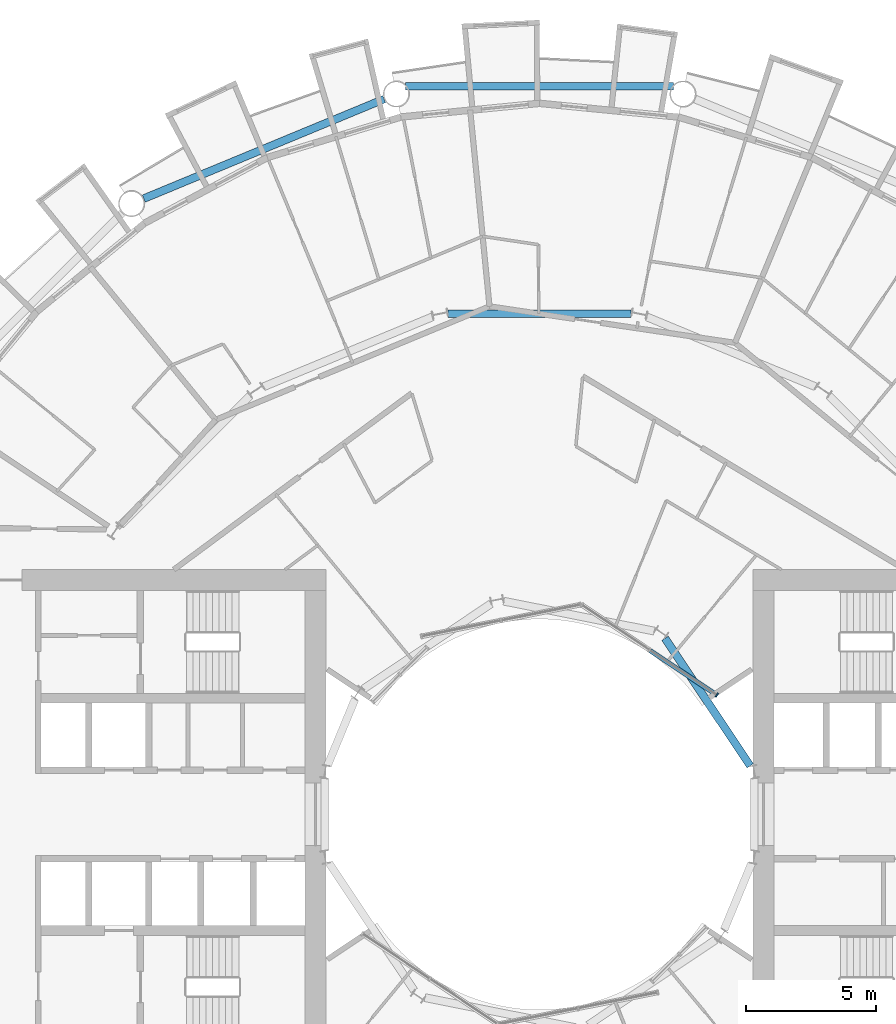
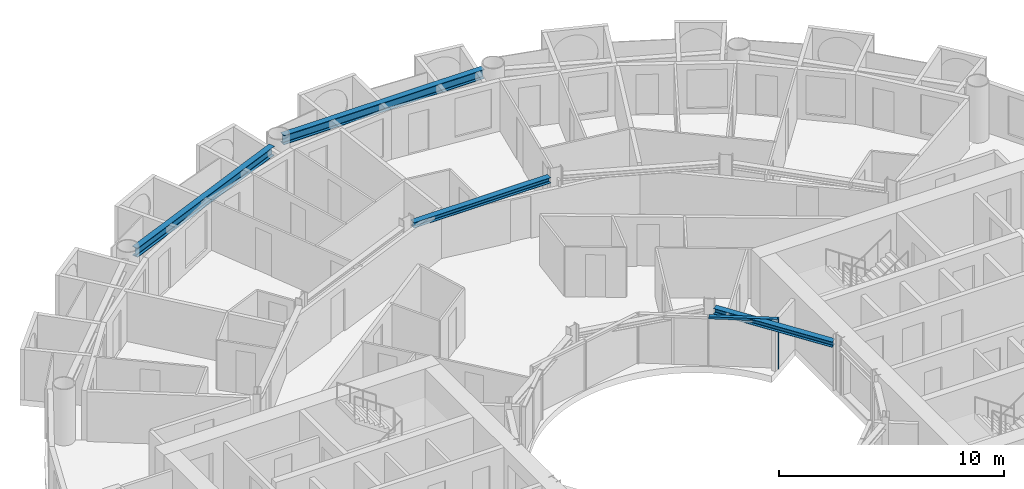
# One storey, part 8 of 26: 4 beams, 2 members, 1 element without a shape of its own.
"""IFC4 building model written with IfcOpenShell, lengths in metres."""

from ifc_helpers import new_model, si_unit, direction, frame, origin, origin_2d, place, context, subcontext, project, spatial, rectangle, i_section, extrude, material, layer, layer_set, material_profile, profile_set, type_object, element, aggregate, save


model = new_model("IFC4")

# Units and contexts
model_context = context("Model", 3, precision=1e-05, world=origin(), true_north=direction((0.0, 1.0)))
body_context = subcontext(model_context, "Body", "Model", "MODEL_VIEW")
ifc_project = project(units=[si_unit("LENGTHUNIT", "METRE"), si_unit("AREAUNIT", "SQUARE_METRE"), si_unit("VOLUMEUNIT", "CUBIC_METRE"), si_unit("PLANEANGLEUNIT", "RADIAN"), si_unit("MASSUNIT", "GRAM", prefix="KILO")], contexts=[model_context])

# Site, building, storey
site_placement = place(None, origin())
site = spatial("IfcSite", under=ifc_project, at=site_placement, CompositionType="ELEMENT")
building_placement = place(site_placement, origin())
building = spatial("IfcBuilding", under=site, at=building_placement, Name="Maasbend Ring Residences", CompositionType="ELEMENT")
storey_placement = place(building_placement, frame((0.0, 0.0, 47.199951171875)))
storey = spatial("IfcBuildingStorey", under=building, at=storey_placement, Name="L13", CompositionType="ELEMENT", Elevation=47.199951171875)

# Curtain wall, members
ifc_material_1 = material(Name="Aluminium and clear glass", Category="aluminium")
ifc_layer = layer(ifc_material_1, 0.179931640625)
ifc_layer_set = layer_set([ifc_layer], Name="CW-W")
curtain_wall_type = type_object("IfcCurtainWallType", Name="CW-W", PredefinedType="NOTDEFINED", material=ifc_layer_set)
curtain_wall_placement = place(storey_placement, origin())
curtain_wall = element("IfcCurtainWall", 1, at=curtain_wall_placement, inside=storey, type_object=curtain_wall_type, Name="Well curtain wall N1", PredefinedType="NOTDEFINED")
ifc_material_2 = material(Name="Aluminium 6063-T6", Category="aluminium")
ifc_material_profile_1 = material_profile(ifc_material_2, rectangle(XDim=0.179931640625, YDim=0.06005859375, at=origin_2d()), Name="AL 180x60")
ifc_profile_set_1 = profile_set([ifc_material_profile_1], Name="Aluminium 6063-T6")
member_type_1 = type_object("IfcMemberType", Name="CWM-W", PredefinedType="MULLION", material=ifc_profile_set_1)
member_1_placement = place(storey_placement, frame((6.805908203125, 4.580810546875, 0.0), z_axis=(0.0, 0.0, 1.0), x_axis=(-0.55557023302, -0.831469612303, 0.0)))
member_1 = element("IfcMember", 2, at=member_1_placement, type_object=member_type_1, Name="Mullion well face", PredefinedType="MULLION", context=body_context, shape_type="SweptSolid", body=[
    extrude(rectangle(XDim=0.179931640625, YDim=0.06005859375, at=origin_2d()), origin(), (0.0, 0.0, 1.0), 2.699951171875),
])
ifc_material_3 = material(Name="Aluminium 6063-T6", Category="aluminium")
ifc_material_profile_2 = material_profile(ifc_material_3, rectangle(XDim=0.179931640625, YDim=0.1201171875, at=origin_2d()), Name="AL 180x120")
ifc_profile_set_2 = profile_set([ifc_material_profile_2], Name="Aluminium 6063-T6")
member_type_2 = type_object("IfcMemberType", Name="CWT-W", PredefinedType="USERDEFINED", material=ifc_profile_set_2)
member_2_placement = place(storey_placement, frame((6.781005859375, 4.59765625, 2.64013671875), z_axis=(-0.831496422459, 0.555530106689, 0.0), x_axis=(-0.555530106689, -0.831496422459, 0.0)))
member_2 = element("IfcMember", 3, at=member_2_placement, type_object=member_type_2, Name="Transom well face", ObjectType="TRANSOM", PredefinedType="USERDEFINED", context=body_context, shape_type="SweptSolid", body=[
    extrude(rectangle(XDim=0.179931640625, YDim=0.1201171875, at=origin_2d()), origin(), (0.0, 0.0, 1.0), 3.053955078125),
])
aggregate(curtain_wall, [member_1, member_2])

# Beams
ifc_material_4 = material(Name="Steel S355J2", Category="steel")
ifc_material_profile_3 = material_profile(ifc_material_4, i_section(OverallWidth=0.300048828125, OverallDepth=0.300048828125, WebThickness=0.010986328125, FlangeThickness=0.01904296875, FilletRadius=0.027099609375, at=origin_2d()), Name="HEB 300")
ifc_profile_set_3 = profile_set([ifc_material_profile_3], Name="Steel S355J2")
beam_type_1 = type_object("IfcBeamType", Name="Corridor ring beam HEB 300", PredefinedType="BEAM", material=ifc_profile_set_3)
beam_1_placement = place(storey_placement, frame((3.5078125, 19.223388671875, 2.550048828125), z_axis=(-1.0, 0.0, 0.0), x_axis=(0.0, -1.0, 0.0)))
element("IfcBeam", 4, at=beam_1_placement, inside=storey, type_object=beam_type_1, Name="Corridor ring beam", PredefinedType="BEAM", context=body_context, shape_type="SweptSolid", body=[
    extrude(i_section(OverallWidth=0.300048828125, OverallDepth=0.300048828125, WebThickness=0.010986328125, FlangeThickness=0.01904296875, FilletRadius=0.027099609375, at=origin_2d()), origin(), (0.0, 0.0, 1.0), 7.015625),
])
ifc_material_5 = material(Name="Steel S355J2", Category="steel")
ifc_material_profile_4 = material_profile(ifc_material_5, i_section(OverallWidth=0.300048828125, OverallDepth=0.5, WebThickness=0.014404296875, FlangeThickness=0.028076171875, FilletRadius=0.027099609375, at=origin_2d()), Name="HEB 500")
ifc_profile_set_4 = profile_set([ifc_material_profile_4], Name="Steel S355J2")
beam_type_2 = type_object("IfcBeamType", Name="Spandrel ring beam HEB 500", PredefinedType="SPANDREL", material=ifc_profile_set_4)
beam_2_placement = place(storey_placement, frame((5.1435546875, 27.9580078125, 2.449951171875), z_axis=(-1.0, 0.0, 0.0), x_axis=(0.0, -1.0, 0.0)))
element("IfcBeam", 5, at=beam_2_placement, inside=storey, type_object=beam_type_2, Name="Spandrel ring beam", PredefinedType="SPANDREL", context=body_context, shape_type="SweptSolid", body=[
    extrude(i_section(OverallWidth=0.300048828125, OverallDepth=0.5, WebThickness=0.014404296875, FlangeThickness=0.028076171875, FilletRadius=0.027099609375, at=origin_2d()), origin(), (0.0, 0.0, 1.0), 10.287109375),
])
beam_3_placement = place(storey_placement, frame((-5.970703125, 27.463623046875, 2.449951171875), z_axis=(-0.923886337442, -0.382667003395, 0.0), x_axis=(0.382667003395, -0.923886337442, 0.0)))
element("IfcBeam", 6, at=beam_3_placement, inside=storey, type_object=beam_type_2, Name="Spandrel ring beam", PredefinedType="SPANDREL", context=body_context, shape_type="SweptSolid", body=[
    extrude(i_section(OverallWidth=0.300048828125, OverallDepth=0.5, WebThickness=0.014404296875, FlangeThickness=0.028076171875, FilletRadius=0.027099609375, at=origin_2d()), origin(), (0.0, 0.0, 1.0), 9.9873046875),
])
ifc_material_6 = material(Name="Steel S355J2", Category="steel")
ifc_material_profile_5 = material_profile(ifc_material_6, i_section(OverallWidth=0.300048828125, OverallDepth=0.300048828125, WebThickness=0.010986328125, FlangeThickness=0.01904296875, FilletRadius=0.027099609375, at=origin_2d()), Name="HEB 300")
ifc_profile_set_5 = profile_set([ifc_material_profile_5], Name="Steel S355J2")
beam_type_3 = type_object("IfcBeamType", Name="Well edge beam HEB 300", PredefinedType="BEAM", material=ifc_profile_set_5)
beam_4_placement = place(storey_placement, frame((8.08837890625, 1.86376953125, 2.550048828125), z_axis=(-0.555589782054, 0.831456549723, 0.0), x_axis=(-0.831456549723, -0.555589782054, 0.0)))
element("IfcBeam", 7, at=beam_4_placement, inside=storey, type_object=beam_type_3, Name="Well edge beam", PredefinedType="BEAM", context=body_context, shape_type="SweptSolid", body=[
    extrude(i_section(OverallWidth=0.300048828125, OverallDepth=0.300048828125, WebThickness=0.010986328125, FlangeThickness=0.01904296875, FilletRadius=0.027099609375, at=origin_2d()), origin(), (0.0, 0.0, 1.0), 5.887939453125),
])

save(model, "model.ifc")
